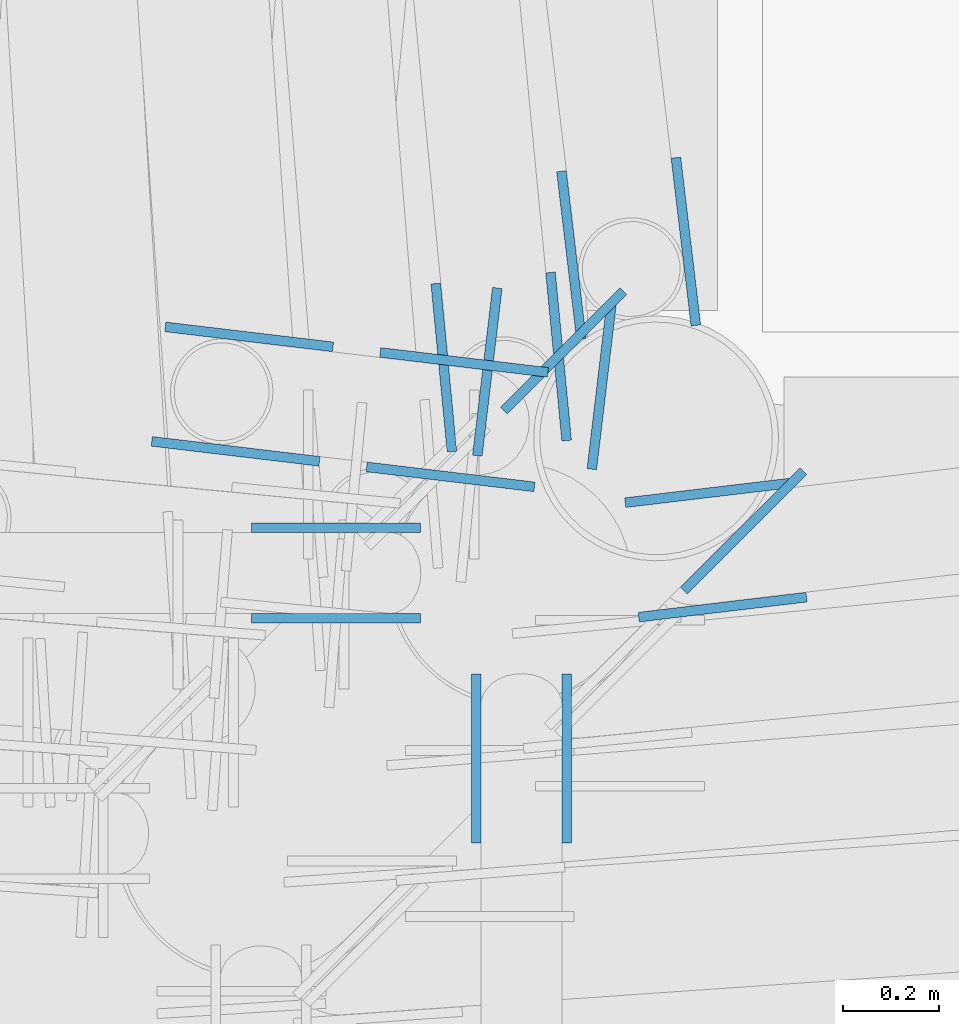
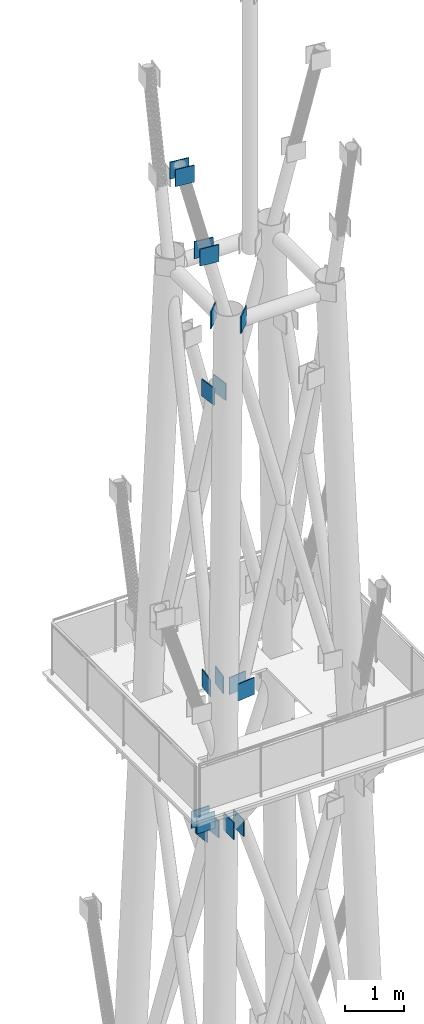
# One storey, part 7 of 25: 18 discrete accessories.
"""IFC4 building model written with IfcOpenShell, lengths in metres."""

from ifc_helpers import new_model, si_unit, direction, frame, origin, origin_2d, place, context, subcontext, project, spatial, rectangle, extrude, element, save


model = new_model("IFC4")

# Units and contexts
model_context = context("Model", 3, precision=1e-05, world=origin(), true_north=direction((0.0, 1.0)))
body_context = subcontext(model_context, "Body", "Model", "MODEL_VIEW")
ifc_project = project(units=[si_unit("LENGTHUNIT", "METRE"), si_unit("AREAUNIT", "SQUARE_METRE"), si_unit("VOLUMEUNIT", "CUBIC_METRE"), si_unit("PLANEANGLEUNIT", "RADIAN"), si_unit("MASSUNIT", "GRAM", prefix="KILO")], contexts=[model_context])

# Site, building, storey
site_placement = place(None, origin())
site = spatial("IfcSite", under=ifc_project, at=site_placement, CompositionType="ELEMENT")
building_placement = place(site_placement, origin())
building = spatial("IfcBuilding", under=site, at=building_placement, Name="Vidyagriha Tower", CompositionType="ELEMENT")
storey_placement = place(building_placement, frame((0.0, 0.0, 318.39990234375)))
storey = spatial("IfcBuildingStorey", under=building, at=storey_placement, Name="RF", CompositionType="ELEMENT", Elevation=318.39990234375)

# Discrete accessories
for number, where, z_axis, x_axis, name in (
    (1, (-1.182861328125, 12.1904296875, 49.9501953125), (0.0, 0.0, 1.0), (0.707106781187, 0.707106781187, 0.0), "End plate ASTM A572 Grade 50 20mm"),
    (2, (-0.8095703125, 11.817138671875, 49.9501953125), (0.0, 0.0, 1.0), (0.707106781187, 0.707106781187, 0.0), "End plate ASTM A572 Grade 50 20mm"),
    (3, (-1.193115234375, 12.1787109375, 39.424560546875), (0.0, 0.0, 1.0), (0.095647699097, -0.995415248857, 0.0), "End plate ASTM A572 Grade 50 20mm"),
    (4, (-1.430908203125, 12.15576171875, 39.424560546875), (0.0, 0.0, 1.0), (0.095647699097, -0.995415248857, 0.0), "End plate ASTM A572 Grade 50 20mm"),
    (5, (-0.85302734375, 11.6591796875, 42.42236328125), (0.0, 0.0, 1.0), (-0.99299585355, -0.118149205805, 0.0), "End plate ASTM A572 Grade 50 20mm"),
    (6, (-0.881103515625, 11.896484375, 42.42236328125), (0.0, 0.0, 1.0), (-0.99299585355, -0.118149205805, 0.0), "End plate ASTM A572 Grade 50 20mm"),
    (7, (-1.388916015625, 12.16650390625, 51.42236328125), (0.0, 0.0, 1.0), (0.992996678363, -0.118142273384, 0.0), "End plate ASTM A572 Grade 50 20mm"),
    (8, (-1.4169921875, 11.92919921875, 51.42236328125), (0.0, 0.0, 1.0), (0.992996678363, -0.118142273384, 0.0), "End plate ASTM A572 Grade 50 20mm"),
    (9, (-1.862548828125, 11.982177734375, 53.189453125), (0.0, 0.0, 1.0), (-0.992996678363, 0.118142273384, 0.0), "End plate ASTM A572 Grade 50 20mm"),
    (10, (-1.83447265625, 12.219482421875, 53.189453125), (0.0, 0.0, 1.0), (-0.992996678363, 0.118142273384, 0.0), "End plate ASTM A572 Grade 50 20mm"),
    (11, (-0.92919921875, 12.4169921875, 48.227783203125), (0.0, 0.0, 1.0), (0.118149205805, -0.99299585355, 0.0), "End plate ASTM A572 Grade 50 20mm"),
    (12, (-1.16650390625, 12.388916015625, 48.227783203125), (0.0, 0.0, 1.0), (0.118149205805, -0.99299585355, 0.0), "End plate ASTM A572 Grade 50 20mm"),
    (13, (-1.103515625, 12.118896484375, 42.42236328125), (0.0, 0.0, 1.0), (-0.118116276751, -0.99299977098, 0.0), "End plate ASTM A572 Grade 50 20mm"),
    (14, (-1.3408203125, 12.14697265625, 42.42236328125), (0.0, 0.0, 1.0), (-0.118116276751, -0.99299977098, 0.0), "End plate ASTM A572 Grade 50 20mm"),
):
    element("IfcDiscreteAccessory", number, at=place(storey_placement, frame(where, z_axis=z_axis, x_axis=x_axis)), inside=storey, Name=name, ObjectType="END PLATE", PredefinedType="USERDEFINED", context=body_context, shape_type="SweptSolid", body=[
        extrude(rectangle(XDim=0.35009765625, YDim=0.02001953125, at=origin_2d()), origin(), (0.0, 0.0, 1.0), 0.35009765625),
    ])
for number, where, name in (
    (15, (-1.654296875, 11.823974609375, 39.9609375), "End plate ASTM A572 Grade 50 20mm"),
    (16, (-1.654296875, 11.635986328125, 39.9609375), "End plate ASTM A572 Grade 50 20mm"),
):
    element("IfcDiscreteAccessory", number, at=place(storey_placement, frame(where)), inside=storey, Name=name, ObjectType="END PLATE", PredefinedType="USERDEFINED", context=body_context, shape_type="SweptSolid", body=[
        extrude(rectangle(XDim=0.35009765625, YDim=0.02001953125, at=origin_2d()), origin(), (0.0, 0.0, 1.0), 0.35009765625),
    ])
for number, where, z_axis, x_axis, name in (
    (17, (-1.364013671875, 11.345703125, 39.9609375), (0.0, 0.0, 1.0), (0.0, 1.0, 0.0), "End plate ASTM A572 Grade 50 20mm"),
    (18, (-1.176025390625, 11.345703125, 39.9609375), (0.0, 0.0, 1.0), (0.0, 1.0, 0.0), "End plate ASTM A572 Grade 50 20mm"),
):
    element("IfcDiscreteAccessory", number, at=place(storey_placement, frame(where, z_axis=z_axis, x_axis=x_axis)), inside=storey, Name=name, ObjectType="END PLATE", PredefinedType="USERDEFINED", context=body_context, shape_type="SweptSolid", body=[
        extrude(rectangle(XDim=0.35009765625, YDim=0.02001953125, at=origin_2d()), origin(), (0.0, 0.0, 1.0), 0.35009765625),
    ])

save(model, "model.ifc")
